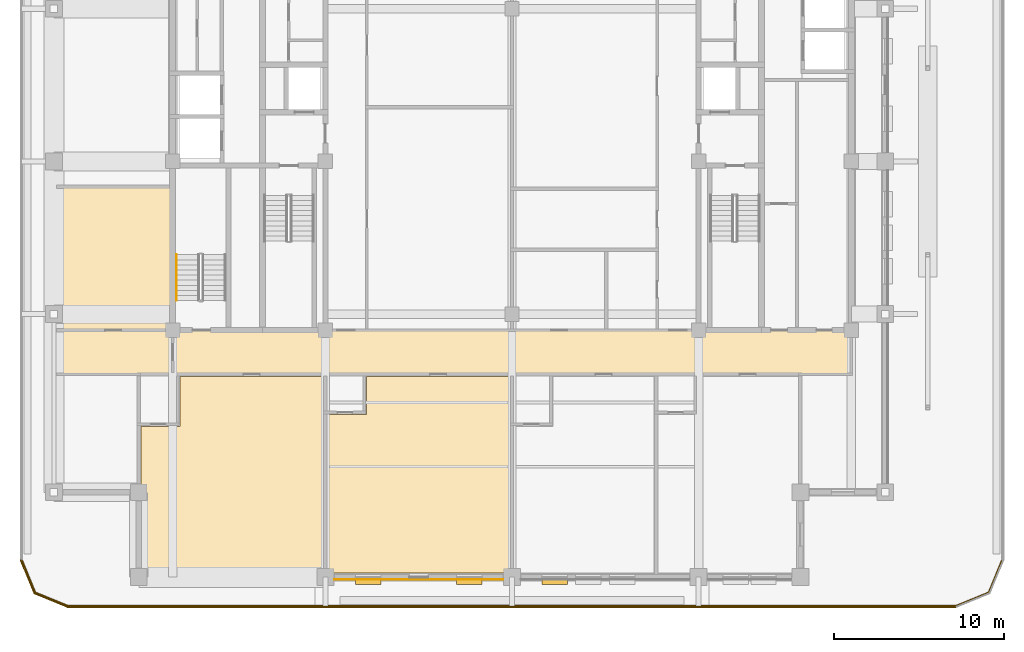
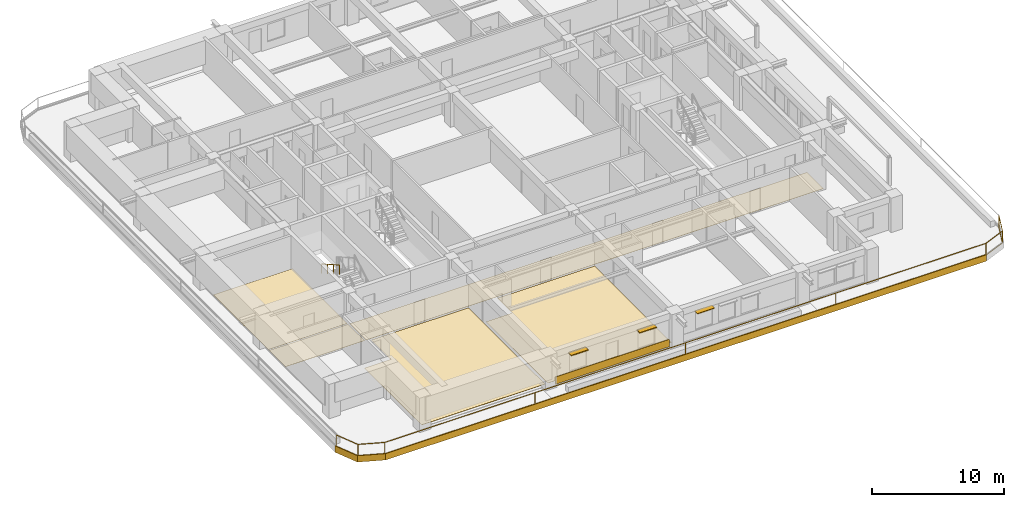
# One storey, part 12 of 18: 9 coverings, 3 shading devices, 2 railings.
"""IFC4 building model written with IfcOpenShell, lengths in metres."""

from ifc_helpers import new_model, si_unit, direction, frame, frame_2d, origin, origin_2d, place, context, subcontext, project, spatial, polyline, rectangle, outline, extrude, material, layer, layer_set, type_object, element, save


model = new_model("IFC4")

# Units and contexts
model_context = context("Model", 3, precision=1e-05, world=origin(), true_north=direction((0.0, 1.0)))
body_context = subcontext(model_context, "Body", "Model", "MODEL_VIEW")
ifc_project = project(units=[si_unit("LENGTHUNIT", "METRE"), si_unit("AREAUNIT", "SQUARE_METRE"), si_unit("VOLUMEUNIT", "CUBIC_METRE"), si_unit("PLANEANGLEUNIT", "RADIAN"), si_unit("MASSUNIT", "GRAM", prefix="KILO")], contexts=[model_context])

# Site, building, storey
site_placement = place(None, origin())
site = spatial("IfcSite", under=ifc_project, at=site_placement, CompositionType="ELEMENT")
building_placement = place(site_placement, origin())
building = spatial("IfcBuilding", under=site, at=building_placement, Name="Zulmaris Gate Convention Tower", CompositionType="ELEMENT")
storey_placement = place(building_placement, frame((0.0, 0.0, 191.4599609375)))
storey = spatial("IfcBuildingStorey", under=building, at=storey_placement, Name="L49", CompositionType="ELEMENT", Elevation=191.4599609375)

# Coverings
ifc_material_1 = material(Name="Precast concrete C40/50", Category="concrete")
ifc_layer_1 = layer(ifc_material_1, 0.0400390625, Name="Precast concrete C40/50")
ifc_layer_set_1 = layer_set([ifc_layer_1], Name="Precast concrete C40/50")
covering_type_1 = type_object("IfcCoveringType", Name="CLAD-SPANDREL-PRECAST", PredefinedType="CLADDING", material=ifc_layer_set_1)
covering_1_placement = place(storey_placement, frame((-10.469970703125, -24.64990234375, 0.0), z_axis=(0.0, 0.0, 1.0), x_axis=(1.0, 0.0, 0.0)))
element("IfcCovering", 1, at=covering_1_placement, inside=storey, type_object=covering_type_1, Name="CLD-L49-S-1_0", PredefinedType="CLADDING", context=body_context, shape_type="SweptSolid", body=[
    extrude(rectangle(XDim=9.93994140625, YDim=0.0400390625, at=frame_2d((4.969970703125, 0.0))), origin(), (0.0, 0.0, 1.0), 0.679931640625),
])
ifc_material_2 = material(Name="White Glazed Architectural Precast Concrete C40/50", Category="concrete")
ifc_layer_2 = layer(ifc_material_2, 0.080078125, Name="White Glazed Architectural Precast Concrete C40/50")
ifc_layer_set_2 = layer_set([ifc_layer_2], Name="White Glazed Architectural Precast Concrete C40/50")
covering_type_2 = type_object("IfcCoveringType", Name="CLAD-TRAY-FASCIA", PredefinedType="CLADDING", material=ifc_layer_set_2)
covering_2_placement = place(storey_placement, frame((-28.962890625, -23.484619140625, -0.46484375), z_axis=(0.0, 0.0, 1.0), x_axis=(0.382656984709, -0.923890487046, 0.0)))
element("IfcCovering", 2, at=covering_2_placement, inside=storey, type_object=covering_type_2, Name="FSC-L49-TR-00", PredefinedType="CLADDING", context=body_context, shape_type="SweptSolid", body=[
    extrude(rectangle(XDim=2.14306640625, YDim=0.080078125, at=frame_2d((1.071533203125, 0.0))), origin(), (0.0, 0.0, 1.0), 0.5849609375),
])
covering_3_placement = place(storey_placement, frame((-28.16455078125, -25.44287109375, -0.46484375), z_axis=(0.0, 0.0, 1.0), x_axis=(0.923873803533, -0.382697263049, 0.0)))
element("IfcCovering", 3, at=covering_3_placement, inside=storey, type_object=covering_type_2, Name="FSC-L49-TR-01", PredefinedType="CLADDING", context=body_context, shape_type="SweptSolid", body=[
    extrude(rectangle(XDim=2.142822265625, YDim=0.080078125, at=frame_2d((1.0712890625, 0.0))), origin(), (0.0, 0.0, 1.0), 0.5849609375),
])
covering_4_placement = place(storey_placement, frame((-26.199951171875, -26.260009765625, -0.46484375), z_axis=(0.0, 0.0, 1.0), x_axis=(1.0, 0.0, 0.0)))
element("IfcCovering", 4, at=covering_4_placement, inside=storey, type_object=covering_type_2, Name="FSC-L49-TR-02", PredefinedType="CLADDING", context=body_context, shape_type="SweptSolid", body=[
    extrude(rectangle(XDim=52.39990234375, YDim=0.080078125, at=frame_2d((26.199951171875, 0.0))), origin(), (0.0, 0.0, 1.0), 0.5849609375),
])
ifc_material_3 = material(Name="Woven Acoustic Wool Carpet Tile")
ifc_layer_3 = layer(ifc_material_3, 0.02001953125, Name="Woven Acoustic Wool Carpet Tile")
ifc_layer_set_3 = layer_set([ifc_layer_3], Name="Woven Acoustic Wool Carpet Tile")
covering_type_3 = type_object("IfcCoveringType", Name="FLR-CARPET-12", PredefinedType="FLOORING", material=ifc_layer_set_3)
covering_5_placement = place(storey_placement, origin())
element("IfcCovering", 5, at=covering_5_placement, inside=storey, type_object=covering_type_3, Name="FLR-L49-R34", PredefinedType="FLOORING", context=body_context, shape_type="SweptSolid", body=[
    extrude(outline(polyline([(-19.93994140625, -12.489990234375), (19.93994140625, -12.489990234375), (19.93994140625, -10.010009765625), (-19.93994140625, -10.010009765625), (-19.93994140625, -12.489990234375)])), origin(), (0.0, 0.0, 1.0), 0.02001953125),
])
covering_6_placement = place(storey_placement, origin())
element("IfcCovering", 6, at=covering_6_placement, inside=storey, type_object=covering_type_3, Name="FLR-L49-R59", PredefinedType="FLOORING", context=body_context, shape_type="SweptSolid", body=[
    extrude(outline(polyline([(-26.93994140625, -12.489990234375), (-20.06005859375, -12.489990234375), (-20.06005859375, -10.010009765625), (-26.93994140625, -10.010009765625), (-26.93994140625, -12.489990234375)])), origin(), (0.0, 0.0, 1.0), 0.02001953125),
])
covering_7_placement = place(storey_placement, origin())
element("IfcCovering", 7, at=covering_7_placement, inside=storey, type_object=covering_type_3, Name="FLR-L49-R61", PredefinedType="FLOORING", context=body_context, shape_type="SweptSolid", body=[
    extrude(outline(polyline([(-26.93994140625, -9.889892578125), (-20.06005859375, -9.889892578125), (-20.06005859375, -1.56005859375), (-26.93994140625, -1.56005859375), (-26.93994140625, -9.889892578125)])), origin(), (0.0, 0.0, 1.0), 0.02001953125),
])
ifc_material_4 = material(Name="Engineered Teak Parquet Flooring")
ifc_layer_4 = layer(ifc_material_4, 0.02001953125, Name="Engineered Teak Parquet Flooring")
ifc_layer_set_4 = layer_set([ifc_layer_4], Name="Engineered Teak Parquet Flooring")
covering_type_4 = type_object("IfcCoveringType", Name="FLR-TIMBER-18", PredefinedType="FLOORING", material=ifc_layer_set_4)
covering_8_placement = place(storey_placement, origin())
element("IfcCovering", 8, at=covering_8_placement, inside=storey, type_object=covering_type_4, Name="FLR-L49-R45", PredefinedType="FLOORING", context=body_context, shape_type="SweptSolid", body=[
    extrude(outline(polyline([(-21.8798828125, -24.260009765625), (-11.1201171875, -24.260009765625), (-11.1201171875, -12.669921875), (-19.580078125, -12.669921875), (-19.580078125, -15.6201171875), (-21.8798828125, -15.6201171875), (-21.8798828125, -24.260009765625)])), origin(), (0.0, 0.0, 1.0), 0.02001953125),
])
covering_9_placement = place(storey_placement, origin())
element("IfcCovering", 9, at=covering_9_placement, inside=storey, type_object=covering_type_4, Name="FLR-L49-R47", PredefinedType="FLOORING", context=body_context, shape_type="SweptSolid", body=[
    extrude(outline(polyline([(-10.8798828125, -24.260009765625), (-0.1201171875, -24.260009765625), (-0.1201171875, -12.669921875), (-8.580078125, -12.669921875), (-8.580078125, -14.919921875), (-10.8798828125, -14.919921875), (-10.8798828125, -24.260009765625)])), origin(), (0.0, 0.0, 1.0), 0.02001953125),
])

# Railings
ifc_material_5 = material(Name="Laminated Glass and Stainless Steel", Category="steel")
railing_type_1 = type_object("IfcRailingType", Name="RL-BALC-1150", PredefinedType="BALUSTRADE", material=ifc_material_5)
railing_1_placement = place(storey_placement, frame((-28.8798828125, -23.5, -0.0400390625)))
element("IfcRailing", 10, at=railing_1_placement, inside=storey, type_object=railing_type_1, Name="RL-L49-BALC-S", PredefinedType="BALUSTRADE", context=body_context, shape_type="SweptSolid", body=[
    extrude(rectangle(XDim=0.048095703125, YDim=0.048095703125, at=origin_2d()), frame((0.0, 0.0, 1.1259765625), z_axis=(0.382670664694, -0.92388482095, 0.0), x_axis=(0.92388482095, 0.382670664694, 0.0)), (0.0, 0.0, 1.0), 2.051025390625),
    extrude(rectangle(XDim=0.048095703125, YDim=0.048095703125, at=origin_2d()), frame((0.0, 0.0, 0.02392578125), z_axis=(0.382670664694, -0.92388482095, 0.0), x_axis=(0.92388482095, 0.382670664694, 0.0)), (0.0, 0.0, 1.0), 2.051025390625),
    extrude(rectangle(XDim=0.048095703125, YDim=0.048095703125, at=origin_2d()), frame((0.784912109375, -1.89501953125, 1.1259765625), z_axis=(0.92388482095, -0.382670664694, 0.0), x_axis=(0.382670664694, 0.92388482095, 0.0)), (0.0, 0.0, 1.0), 2.051025390625),
    extrude(rectangle(XDim=0.048095703125, YDim=0.048095703125, at=origin_2d()), frame((0.784912109375, -1.89501953125, 0.02392578125), z_axis=(0.92388482095, -0.382670664694, 0.0), x_axis=(0.382670664694, 0.92388482095, 0.0)), (0.0, 0.0, 1.0), 2.051025390625),
    extrude(rectangle(XDim=0.048095703125, YDim=0.048095703125, at=origin_2d()), frame((2.679931640625, -2.679931640625, 1.1259765625), z_axis=(1.0, 0.0, 0.0), x_axis=(0.0, 1.0, 0.0)), (0.0, 0.0, 1.0), 52.39990234375),
    extrude(rectangle(XDim=0.048095703125, YDim=0.048095703125, at=origin_2d()), frame((2.679931640625, -2.679931640625, 0.02392578125), z_axis=(1.0, 0.0, 0.0), x_axis=(0.0, 1.0, 0.0)), (0.0, 0.0, 1.0), 52.39990234375),
    extrude(rectangle(XDim=0.048095703125, YDim=0.048095703125, at=origin_2d()), frame((55.079833984375, -2.679931640625, 1.1259765625), z_axis=(0.92388482095, 0.382670664694, 0.0), x_axis=(-0.382670664694, 0.92388482095, 0.0)), (0.0, 0.0, 1.0), 2.051025390625),
    extrude(rectangle(XDim=0.048095703125, YDim=0.048095703125, at=origin_2d()), frame((55.079833984375, -2.679931640625, 0.02392578125), z_axis=(0.92388482095, 0.382670664694, 0.0), x_axis=(-0.382670664694, 0.92388482095, 0.0)), (0.0, 0.0, 1.0), 2.051025390625),
    extrude(rectangle(XDim=0.048095703125, YDim=0.048095703125, at=origin_2d()), frame((56.974853515625, -1.89501953125, 1.1259765625), z_axis=(0.382670664694, 0.92388482095, 0.0), x_axis=(-0.92388482095, 0.382670664694, 0.0)), (0.0, 0.0, 1.0), 2.051025390625),
    extrude(rectangle(XDim=0.048095703125, YDim=0.048095703125, at=origin_2d()), frame((56.974853515625, -1.89501953125, 0.02392578125), z_axis=(0.382670664694, 0.92388482095, 0.0), x_axis=(-0.92388482095, 0.382670664694, 0.0)), (0.0, 0.0, 1.0), 2.051025390625),
    extrude(rectangle(XDim=0.0419921875, YDim=0.0419921875, at=origin_2d()), origin(), (0.0, 0.0, 1.0), 1.101806640625),
    extrude(rectangle(XDim=0.0419921875, YDim=0.0419921875, at=origin_2d()), frame((0.784912109375, -1.89501953125, 0.0)), (0.0, 0.0, 1.0), 1.101806640625),
    extrude(rectangle(XDim=0.0419921875, YDim=0.0419921875, at=origin_2d()), frame((2.679931640625, -2.679931640625, 0.0)), (0.0, 0.0, 1.0), 1.101806640625),
    extrude(rectangle(XDim=0.0419921875, YDim=0.0419921875, at=origin_2d()), frame((15.77978515625, -2.679931640625, 0.0)), (0.0, 0.0, 1.0), 1.101806640625),
    extrude(rectangle(XDim=0.0419921875, YDim=0.0419921875, at=origin_2d()), frame((28.8798828125, -2.679931640625, 0.0)), (0.0, 0.0, 1.0), 1.101806640625),
    extrude(rectangle(XDim=0.0419921875, YDim=0.0419921875, at=origin_2d()), frame((41.97998046875, -2.679931640625, 0.0)), (0.0, 0.0, 1.0), 1.101806640625),
    extrude(rectangle(XDim=0.0419921875, YDim=0.0419921875, at=origin_2d()), frame((55.079833984375, -2.679931640625, 0.0)), (0.0, 0.0, 1.0), 1.101806640625),
    extrude(rectangle(XDim=0.0419921875, YDim=0.0419921875, at=origin_2d()), frame((56.974853515625, -1.89501953125, 0.0)), (0.0, 0.0, 1.0), 1.101806640625),
    extrude(rectangle(XDim=0.0419921875, YDim=0.0419921875, at=origin_2d()), frame((57.759765625, 0.0, 0.0)), (0.0, 0.0, 1.0), 1.101806640625),
])
ifc_material_6 = material(Name="Brushed Stainless Steel", Category="steel")
railing_type_2 = type_object("IfcRailingType", Name="RL-STH-900", PredefinedType="HANDRAIL", material=ifc_material_6)
railing_2_placement = place(storey_placement, frame((-19.77001953125, -5.5, 1.869873046875)))
element("IfcRailing", 11, at=railing_2_placement, inside=storey, type_object=railing_type_2, Name="L49 ST-3 stair handrail 2", PredefinedType="HANDRAIL", context=body_context, shape_type="SweptSolid", body=[
    extrude(rectangle(XDim=0.048095703125, YDim=0.048095703125, at=origin_2d()), frame((0.0, 0.0, 0.8759765625), z_axis=(0.0, -0.870014312096, 0.49302646658), x_axis=(1.0, 0.0, 0.0)), (0.0, 0.0, 1.0), 3.103271484375),
    extrude(rectangle(XDim=0.0419921875, YDim=0.0419921875, at=origin_2d()), origin(), (0.0, 0.0, 1.0), 0.851806640625),
    extrude(rectangle(XDim=0.0419921875, YDim=0.0419921875, at=origin_2d()), frame((0.0, -0.89990234375, 0.510009765625)), (0.0, 0.0, 1.0), 0.851806640625),
    extrude(rectangle(XDim=0.0419921875, YDim=0.0419921875, at=origin_2d()), frame((0.0, -1.800048828125, 1.02001953125)), (0.0, 0.0, 1.0), 0.851806640625),
    extrude(rectangle(XDim=0.0419921875, YDim=0.0419921875, at=origin_2d()), frame((0.0, -2.699951171875, 1.530029296875)), (0.0, 0.0, 1.0), 0.851806640625),
])

# Shading devices
ifc_material_7 = material(Name="Glazed Ceramic Terracotta", Category="masonry")
ifc_layer_5 = layer(ifc_material_7, 0.070068359375, Name="Glazed Ceramic Terracotta")
ifc_layer_set_5 = layer_set([ifc_layer_5], Name="Glazed Ceramic Terracotta")
shading_device_type = type_object("IfcShadingDeviceType", Name="SHD-SUNSHADE-TC", PredefinedType="AWNING", material=ifc_layer_set_5)
for number, where, z_axis, x_axis, name in (
    (12, (-9.23193359375, -24.719970703125, 2.35009765625), (0.0, 0.0, 1.0), (1.0, 0.0, 0.0), "SHD-EW-L49-S-1_0-1"),
    (13, (-3.26806640625, -24.719970703125, 2.35009765625), (0.0, 0.0, 1.0), (1.0, 0.0, 0.0), "SHD-EW-L49-S-1_0-4"),
    (14, (1.76806640625, -24.719970703125, 2.35009765625), (0.0, 0.0, 1.0), (1.0, 0.0, 0.0), "SHD-EW-L49-S-2_0-1"),
):
    element("IfcShadingDevice", number, at=place(storey_placement, frame(where, z_axis=z_axis, x_axis=x_axis)), inside=storey, type_object=shading_device_type, Name=name, PredefinedType="AWNING", context=body_context, shape_type="SweptSolid", body=[
        extrude(rectangle(XDim=1.5, YDim=0.43994140625, at=frame_2d((0.75, 0.0))), origin(), (0.0, 0.0, 1.0), 0.06982421875),
    ])

save(model, "model.ifc")
